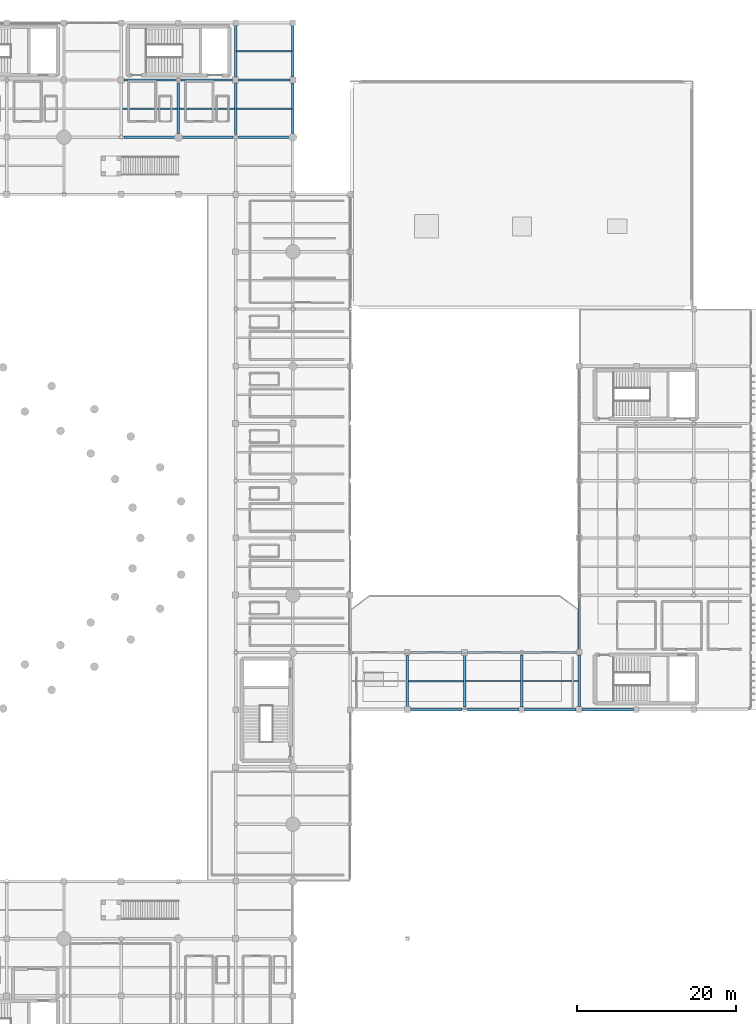
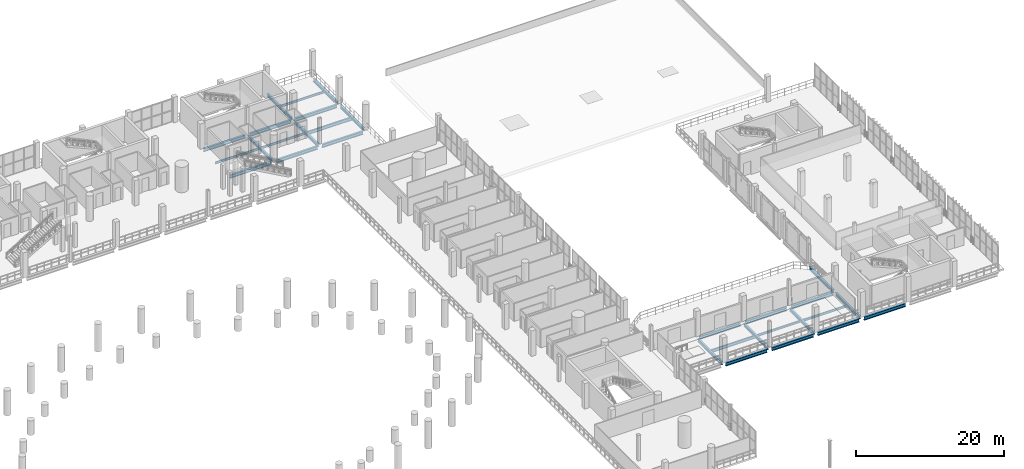
# One storey, part 69 of 130: 30 beams.
"""IFC4 building model written with IfcOpenShell, lengths in metres."""

from ifc_helpers import new_model, si_unit, direction, frame, origin, origin_2d, place, context, subcontext, project, spatial, i_section, extrude, material, material_profile, profile_set, type_object, element, save


model = new_model("IFC4")

# Units and contexts
model_context = context("Model", 3, precision=1e-05, world=origin(), true_north=direction((0.0, 1.0)))
body_context = subcontext(model_context, "Body", "Model", "MODEL_VIEW")
ifc_project = project(units=[si_unit("LENGTHUNIT", "METRE"), si_unit("AREAUNIT", "SQUARE_METRE"), si_unit("VOLUMEUNIT", "CUBIC_METRE"), si_unit("PLANEANGLEUNIT", "RADIAN"), si_unit("MASSUNIT", "GRAM", prefix="KILO")], contexts=[model_context])

# Site, building, storey
site_placement = place(None, origin())
site = spatial("IfcSite", under=ifc_project, at=site_placement, CompositionType="ELEMENT")
building_placement = place(site_placement, origin())
building = spatial("IfcBuilding", under=site, at=building_placement, Name="Qandorah Velis Arena", CompositionType="ELEMENT")
storey_placement = place(building_placement, frame((0.0, 0.0, 9.60009765625)))
storey = spatial("IfcBuildingStorey", under=building, at=storey_placement, Name="L02", CompositionType="ELEMENT", Elevation=9.60009765625)

# Beams
ifc_material = material(Name="Steel S355", Category="steel")
ifc_material_profile_1 = material_profile(ifc_material, i_section(OverallWidth=0.300048828125, OverallDepth=0.5, WebThickness=0.014404296875, FlangeThickness=0.028076171875, FilletRadius=0.027099609375, at=origin_2d()), Name="HEB 500")
ifc_profile_set_1 = profile_set([ifc_material_profile_1], Name="Steel S355")
beam_type_1 = type_object("IfcBeamType", Name="STR-BM-HEB500", PredefinedType="BEAM", material=ifc_profile_set_1)
beam_1_placement = place(storey_placement, frame((100.800048828125, 115.64990234375, -0.530029296875), z_axis=(0.0, 1.0, 0.0), x_axis=(-1.0, 0.0, 0.0)))
element("IfcBeam", 1, at=beam_1_placement, inside=storey, type_object=beam_type_1, Name="Primary floor girder L02 Y-286", PredefinedType="BEAM", context=body_context, shape_type="SweptSolid", body=[
    extrude(i_section(OverallWidth=0.300048828125, OverallDepth=0.5, WebThickness=0.014404296875, FlangeThickness=0.028076171875, FilletRadius=0.027099609375, at=origin_2d()), origin(), (0.0, 0.0, 1.0), 6.400146484375),
])
beam_2_placement = place(storey_placement, frame((108.0, 115.550048828125, -0.530029296875), z_axis=(0.0, 1.0, 0.0), x_axis=(-1.0, 0.0, 0.0)))
element("IfcBeam", 2, at=beam_2_placement, inside=storey, type_object=beam_type_1, Name="Primary floor girder L02 Y-303", PredefinedType="BEAM", context=body_context, shape_type="SweptSolid", body=[
    extrude(i_section(OverallWidth=0.300048828125, OverallDepth=0.5, WebThickness=0.014404296875, FlangeThickness=0.028076171875, FilletRadius=0.027099609375, at=origin_2d()), origin(), (0.0, 0.0, 1.0), 6.474853515625),
])
beam_3_placement = place(storey_placement, frame((108.0, 122.77490234375, -0.530029296875), z_axis=(0.0, 1.0, 0.0), x_axis=(-1.0, 0.0, 0.0)))
element("IfcBeam", 3, at=beam_3_placement, inside=storey, type_object=beam_type_1, Name="Primary floor girder L02 Y-304", PredefinedType="BEAM", context=body_context, shape_type="SweptSolid", body=[
    extrude(i_section(OverallWidth=0.300048828125, OverallDepth=0.5, WebThickness=0.014404296875, FlangeThickness=0.028076171875, FilletRadius=0.027099609375, at=origin_2d()), origin(), (0.0, 0.0, 1.0), 6.525146484375),
])
beam_4_placement = place(storey_placement, frame((115.199951171875, 115.64990234375, -0.530029296875), z_axis=(0.0, 1.0, 0.0), x_axis=(-1.0, 0.0, 0.0)))
element("IfcBeam", 4, at=beam_4_placement, inside=storey, type_object=beam_type_1, Name="Primary floor girder L02 Y-320", PredefinedType="BEAM", context=body_context, shape_type="SweptSolid", body=[
    extrude(i_section(OverallWidth=0.300048828125, OverallDepth=0.5, WebThickness=0.014404296875, FlangeThickness=0.028076171875, FilletRadius=0.027099609375, at=origin_2d()), origin(), (0.0, 0.0, 1.0), 6.375),
])
beam_5_placement = place(storey_placement, frame((115.199951171875, 122.77490234375, -0.530029296875), z_axis=(0.0, 1.0, 0.0), x_axis=(-1.0, 0.0, 0.0)))
element("IfcBeam", 5, at=beam_5_placement, inside=storey, type_object=beam_type_1, Name="Primary floor girder L02 Y-321", PredefinedType="BEAM", context=body_context, shape_type="SweptSolid", body=[
    extrude(i_section(OverallWidth=0.300048828125, OverallDepth=0.5, WebThickness=0.014404296875, FlangeThickness=0.028076171875, FilletRadius=0.027099609375, at=origin_2d()), origin(), (0.0, 0.0, 1.0), 6.525146484375),
])
beam_6_placement = place(storey_placement, frame((129.60009765625, 43.550048828125, -0.530029296875), z_axis=(0.0, 1.0, 0.0), x_axis=(-1.0, 0.0, 0.0)))
element("IfcBeam", 6, at=beam_6_placement, inside=storey, type_object=beam_type_1, Name="Primary floor girder L02 Y-329", PredefinedType="BEAM", context=body_context, shape_type="SweptSolid", body=[
    extrude(i_section(OverallWidth=0.300048828125, OverallDepth=0.5, WebThickness=0.014404296875, FlangeThickness=0.028076171875, FilletRadius=0.027099609375, at=origin_2d()), origin(), (0.0, 0.0, 1.0), 6.474853515625),
])
for number, where, z_axis, x_axis, name in (
    (7, (136.800048828125, 43.550048828125, -0.530029296875), (0.0, 1.0, 0.0), (-1.0, 0.0, 0.0), "Primary floor girder L02 Y-330"),
    (8, (144.0, 43.550048828125, -0.530029296875), (0.0, 1.0, 0.0), (-1.0, 0.0, 0.0), "Primary floor girder L02 Y-331"),
):
    element("IfcBeam", number, at=place(storey_placement, frame(where, z_axis=z_axis, x_axis=x_axis)), inside=storey, type_object=beam_type_1, Name=name, PredefinedType="BEAM", context=body_context, shape_type="SweptSolid", body=[
        extrude(i_section(OverallWidth=0.300048828125, OverallDepth=0.5, WebThickness=0.014404296875, FlangeThickness=0.028076171875, FilletRadius=0.027099609375, at=origin_2d()), origin(), (0.0, 0.0, 1.0), 6.5),
    ])
beam_7_placement = place(storey_placement, frame((151.199951171875, 43.574951171875, -0.530029296875), z_axis=(0.0, 1.0, 0.0), x_axis=(-1.0, 0.0, 0.0)))
element("IfcBeam", 9, at=beam_7_placement, inside=storey, type_object=beam_type_1, Name="Primary floor girder L02 Y-332", PredefinedType="BEAM", context=body_context, shape_type="SweptSolid", body=[
    extrude(i_section(OverallWidth=0.300048828125, OverallDepth=0.5, WebThickness=0.014404296875, FlangeThickness=0.028076171875, FilletRadius=0.027099609375, at=origin_2d()), origin(), (0.0, 0.0, 1.0), 6.47509765625),
])
beam_8_placement = place(storey_placement, frame((151.199951171875, 50.75, -0.530029296875), z_axis=(0.0, 1.0, 0.0), x_axis=(-1.0, 0.0, 0.0)))
element("IfcBeam", 10, at=beam_8_placement, inside=storey, type_object=beam_type_1, Name="Primary floor girder L02 Y-333", PredefinedType="BEAM", context=body_context, shape_type="SweptSolid", body=[
    extrude(i_section(OverallWidth=0.300048828125, OverallDepth=0.5, WebThickness=0.014404296875, FlangeThickness=0.028076171875, FilletRadius=0.027099609375, at=origin_2d()), origin(), (0.0, 0.0, 1.0), 6.5),
])
ifc_material_profile_2 = material_profile(ifc_material, i_section(OverallWidth=0.300048828125, OverallDepth=0.550048828125, WebThickness=0.014892578125, FlangeThickness=0.029052734375, FilletRadius=0.027099609375, at=origin_2d()), Name="HEB 550")
ifc_profile_set_2 = profile_set([ifc_material_profile_2], Name="Steel S355")
beam_type_2 = type_object("IfcBeamType", Name="STR-BM-HEB550", PredefinedType="BEAM", material=ifc_profile_set_2)
for number, where, z_axis, x_axis, name in (
    (11, (129.949951171875, 43.199951171875, -0.55517578125), (1.0, 0.0, 0.0), (0.0, 1.0, 0.0), "Primary floor girder L02 X-070"),
    (12, (137.14990234375, 43.199951171875, -0.55517578125), (1.0, 0.0, 0.0), (0.0, 1.0, 0.0), "Primary floor girder L02 X-071"),
):
    element("IfcBeam", number, at=place(storey_placement, frame(where, z_axis=z_axis, x_axis=x_axis)), inside=storey, type_object=beam_type_2, Name=name, PredefinedType="BEAM", context=body_context, shape_type="SweptSolid", body=[
        extrude(i_section(OverallWidth=0.300048828125, OverallDepth=0.550048828125, WebThickness=0.014892578125, FlangeThickness=0.029052734375, FilletRadius=0.027099609375, at=origin_2d()), origin(), (0.0, 0.0, 1.0), 6.5),
    ])
beam_9_placement = place(storey_placement, frame((144.35009765625, 43.199951171875, -0.55517578125), z_axis=(1.0, 0.0, 0.0), x_axis=(0.0, 1.0, 0.0)))
element("IfcBeam", 13, at=beam_9_placement, inside=storey, type_object=beam_type_2, Name="Primary floor girder L02 X-072", PredefinedType="BEAM", context=body_context, shape_type="SweptSolid", body=[
    extrude(i_section(OverallWidth=0.300048828125, OverallDepth=0.550048828125, WebThickness=0.014892578125, FlangeThickness=0.029052734375, FilletRadius=0.027099609375, at=origin_2d()), origin(), (0.0, 0.0, 1.0), 6.474853515625),
])
beam_10_placement = place(storey_placement, frame((151.574951171875, 43.199951171875, -0.55517578125), z_axis=(1.0, 0.0, 0.0), x_axis=(0.0, 1.0, 0.0)))
element("IfcBeam", 14, at=beam_10_placement, inside=storey, type_object=beam_type_2, Name="Primary floor girder L02 X-073", PredefinedType="BEAM", context=body_context, shape_type="SweptSolid", body=[
    extrude(i_section(OverallWidth=0.300048828125, OverallDepth=0.550048828125, WebThickness=0.014892578125, FlangeThickness=0.029052734375, FilletRadius=0.027099609375, at=origin_2d()), origin(), (0.0, 0.0, 1.0), 6.47509765625),
])
beam_11_placement = place(storey_placement, frame((129.97509765625, 50.39990234375, -0.55517578125), z_axis=(1.0, 0.0, 0.0), x_axis=(0.0, 1.0, 0.0)))
element("IfcBeam", 15, at=beam_11_placement, inside=storey, type_object=beam_type_2, Name="Primary floor girder L02 X-081", PredefinedType="BEAM", context=body_context, shape_type="SweptSolid", body=[
    extrude(i_section(OverallWidth=0.300048828125, OverallDepth=0.550048828125, WebThickness=0.014892578125, FlangeThickness=0.029052734375, FilletRadius=0.027099609375, at=origin_2d()), origin(), (0.0, 0.0, 1.0), 6.474853515625),
])
for number, where, z_axis, x_axis, name in (
    (16, (137.14990234375, 50.39990234375, -0.55517578125), (1.0, 0.0, 0.0), (0.0, 1.0, 0.0), "Primary floor girder L02 X-082"),
    (17, (144.35009765625, 50.39990234375, -0.55517578125), (1.0, 0.0, 0.0), (0.0, 1.0, 0.0), "Primary floor girder L02 X-083"),
):
    element("IfcBeam", number, at=place(storey_placement, frame(where, z_axis=z_axis, x_axis=x_axis)), inside=storey, type_object=beam_type_2, Name=name, PredefinedType="BEAM", context=body_context, shape_type="SweptSolid", body=[
        extrude(i_section(OverallWidth=0.300048828125, OverallDepth=0.550048828125, WebThickness=0.014892578125, FlangeThickness=0.029052734375, FilletRadius=0.027099609375, at=origin_2d()), origin(), (0.0, 0.0, 1.0), 6.5),
    ])
beam_12_placement = place(storey_placement, frame((93.949951171875, 115.199951171875, -0.55517578125), z_axis=(1.0, 0.0, 0.0), x_axis=(0.0, 1.0, 0.0)))
element("IfcBeam", 18, at=beam_12_placement, inside=storey, type_object=beam_type_2, Name="Primary floor girder L02 X-157", PredefinedType="BEAM", context=body_context, shape_type="SweptSolid", body=[
    extrude(i_section(OverallWidth=0.300048828125, OverallDepth=0.550048828125, WebThickness=0.014892578125, FlangeThickness=0.029052734375, FilletRadius=0.027099609375, at=origin_2d()), origin(), (0.0, 0.0, 1.0), 6.400146484375),
])
for number, where, z_axis, x_axis, name in (
    (19, (101.25, 115.199951171875, -0.55517578125), (1.0, 0.0, 0.0), (0.0, 1.0, 0.0), "Primary floor girder L02 X-158"),
    (20, (108.35009765625, 115.199951171875, -0.55517578125), (1.0, 0.0, 0.0), (0.0, 1.0, 0.0), "Primary floor girder L02 X-159"),
):
    element("IfcBeam", number, at=place(storey_placement, frame(where, z_axis=z_axis, x_axis=x_axis)), inside=storey, type_object=beam_type_2, Name=name, PredefinedType="BEAM", context=body_context, shape_type="SweptSolid", body=[
        extrude(i_section(OverallWidth=0.300048828125, OverallDepth=0.550048828125, WebThickness=0.014892578125, FlangeThickness=0.029052734375, FilletRadius=0.027099609375, at=origin_2d()), origin(), (0.0, 0.0, 1.0), 6.39990234375),
    ])
beam_13_placement = place(storey_placement, frame((93.97509765625, 122.39990234375, -0.55517578125), z_axis=(1.0, 0.0, 0.0), x_axis=(0.0, 1.0, 0.0)))
element("IfcBeam", 21, at=beam_13_placement, inside=storey, type_object=beam_type_2, Name="Primary floor girder L02 X-169", PredefinedType="BEAM", context=body_context, shape_type="SweptSolid", body=[
    extrude(i_section(OverallWidth=0.300048828125, OverallDepth=0.550048828125, WebThickness=0.014892578125, FlangeThickness=0.029052734375, FilletRadius=0.027099609375, at=origin_2d()), origin(), (0.0, 0.0, 1.0), 6.474853515625),
])
beam_14_placement = place(storey_placement, frame((101.14990234375, 122.39990234375, -0.55517578125), z_axis=(1.0, 0.0, 0.0), x_axis=(0.0, 1.0, 0.0)))
element("IfcBeam", 22, at=beam_14_placement, inside=storey, type_object=beam_type_2, Name="Primary floor girder L02 X-170", PredefinedType="BEAM", context=body_context, shape_type="SweptSolid", body=[
    extrude(i_section(OverallWidth=0.300048828125, OverallDepth=0.550048828125, WebThickness=0.014892578125, FlangeThickness=0.029052734375, FilletRadius=0.027099609375, at=origin_2d()), origin(), (0.0, 0.0, 1.0), 6.47509765625),
])
beam_15_placement = place(storey_placement, frame((108.375, 122.39990234375, -0.55517578125), z_axis=(1.0, 0.0, 0.0), x_axis=(0.0, 1.0, 0.0)))
element("IfcBeam", 23, at=beam_15_placement, inside=storey, type_object=beam_type_2, Name="Primary floor girder L02 X-171", PredefinedType="BEAM", context=body_context, shape_type="SweptSolid", body=[
    extrude(i_section(OverallWidth=0.300048828125, OverallDepth=0.550048828125, WebThickness=0.014892578125, FlangeThickness=0.029052734375, FilletRadius=0.027099609375, at=origin_2d()), origin(), (0.0, 0.0, 1.0), 6.449951171875),
])
ifc_material_profile_3 = material_profile(ifc_material, i_section(OverallWidth=0.169921875, OverallDepth=0.360107421875, WebThickness=0.008056640625, FlangeThickness=0.0126953125, FilletRadius=0.01806640625, at=origin_2d()), Name="IPE 360")
ifc_profile_set_3 = profile_set([ifc_material_profile_3], Name="Steel S355")
beam_type_3 = type_object("IfcBeamType", Name="STR-JST-IPE360", PredefinedType="JOIST", material=ifc_profile_set_3)
for number, where, z_axis, x_axis, name in (
    (24, (93.735107421875, 118.800048828125, -0.460205078125), (1.0, 0.0, 0.0), (0.0, 1.0, 0.0), "Secondary floor joist L02-069"),
    (25, (100.93505859375, 118.800048828125, -0.460205078125), (1.0, 0.0, 0.0), (0.0, 1.0, 0.0), "Secondary floor joist L02-072"),
    (26, (108.135009765625, 126.0, -0.460205078125), (1.0, 0.0, 0.0), (0.0, 1.0, 0.0), "Secondary floor joist L02-088"),
    (27, (136.93505859375, 46.800048828125, -0.460205078125), (1.0, 0.0, 0.0), (0.0, 1.0, 0.0), "Secondary floor joist L02-096"),
    (28, (144.135009765625, 46.800048828125, -0.460205078125), (1.0, 0.0, 0.0), (0.0, 1.0, 0.0), "Secondary floor joist L02-097"),
):
    element("IfcBeam", number, at=place(storey_placement, frame(where, z_axis=z_axis, x_axis=x_axis)), inside=storey, type_object=beam_type_3, Name=name, PredefinedType="JOIST", context=body_context, shape_type="SweptSolid", body=[
        extrude(i_section(OverallWidth=0.169921875, OverallDepth=0.360107421875, WebThickness=0.008056640625, FlangeThickness=0.0126953125, FilletRadius=0.01806640625, at=origin_2d()), origin(), (0.0, 0.0, 1.0), 6.929931640625),
    ])
ifc_material_profile_4 = material_profile(ifc_material, i_section(OverallWidth=0.199951171875, OverallDepth=0.5, WebThickness=0.01025390625, FlangeThickness=0.01611328125, FilletRadius=0.02099609375, at=origin_2d()), Name="IPE 500")
ifc_profile_set_4 = profile_set([ifc_material_profile_4], Name="Steel S355")
beam_type_4 = type_object("IfcBeamType", Name="STR-JST-IPE500", PredefinedType="JOIST", material=ifc_profile_set_4)
beam_16_placement = place(storey_placement, frame((129.735107421875, 46.800048828125, -0.530029296875), z_axis=(1.0, 0.0, 0.0), x_axis=(0.0, 1.0, 0.0)))
element("IfcBeam", 29, at=beam_16_placement, inside=storey, type_object=beam_type_4, Name="Secondary floor joist L02-095", PredefinedType="JOIST", context=body_context, shape_type="SweptSolid", body=[
    extrude(i_section(OverallWidth=0.199951171875, OverallDepth=0.5, WebThickness=0.01025390625, FlangeThickness=0.01611328125, FilletRadius=0.02099609375, at=origin_2d()), origin(), (0.0, 0.0, 1.0), 6.929931640625),
])
ifc_material_profile_5 = material_profile(ifc_material, i_section(OverallWidth=0.2099609375, OverallDepth=0.550048828125, WebThickness=0.010986328125, FlangeThickness=0.01708984375, FilletRadius=0.02392578125, at=origin_2d()), Name="IPE 550")
ifc_profile_set_5 = profile_set([ifc_material_profile_5], Name="Steel S355")
beam_type_5 = type_object("IfcBeamType", Name="STR-JST-IPE550", PredefinedType="JOIST", material=ifc_profile_set_5)
beam_17_placement = place(storey_placement, frame((108.135009765625, 118.800048828125, -0.55517578125), z_axis=(1.0, 0.0, 0.0), x_axis=(0.0, 1.0, 0.0)))
element("IfcBeam", 30, at=beam_17_placement, inside=storey, type_object=beam_type_5, Name="Secondary floor joist L02-087", PredefinedType="JOIST", context=body_context, shape_type="SweptSolid", body=[
    extrude(i_section(OverallWidth=0.2099609375, OverallDepth=0.550048828125, WebThickness=0.010986328125, FlangeThickness=0.01708984375, FilletRadius=0.02392578125, at=origin_2d()), origin(), (0.0, 0.0, 1.0), 6.929931640625),
])

save(model, "model.ifc")
